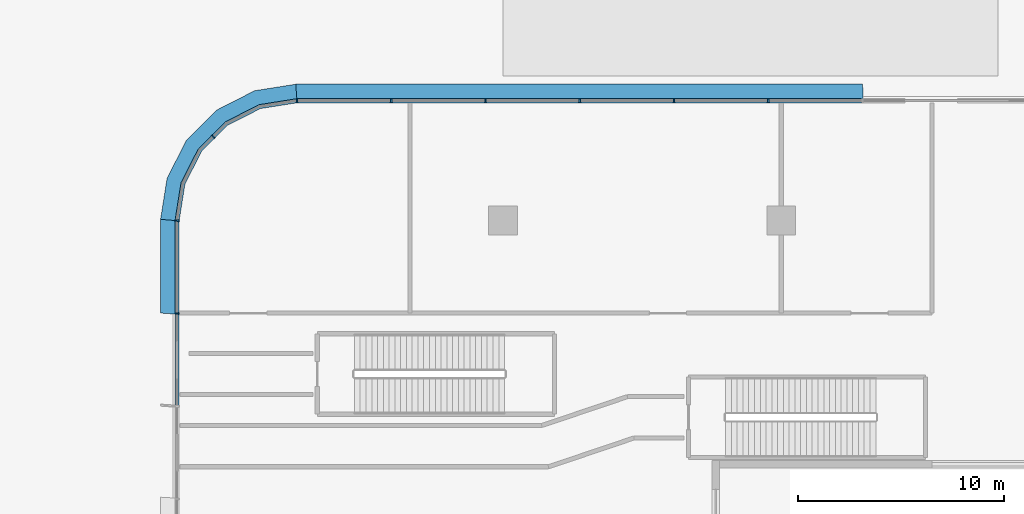
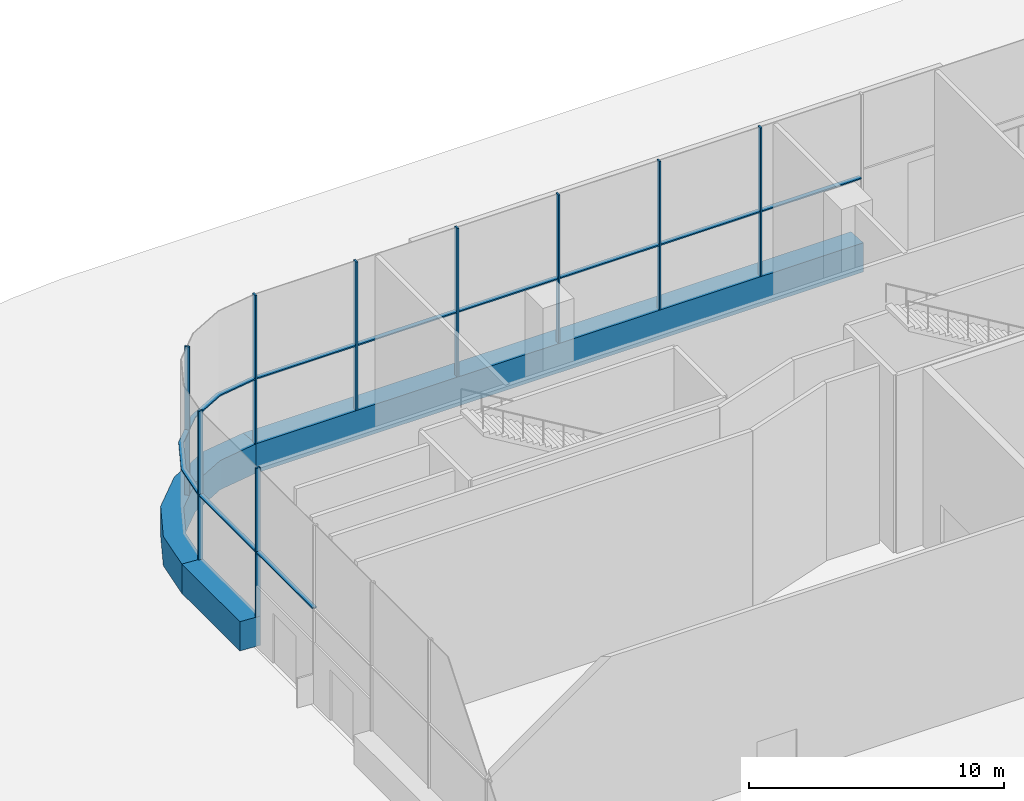
# One storey, part 8 of 54: 22 members, 3 elements without a shape of their own.
"""IFC4 building model written with IfcOpenShell, lengths in metres."""

from ifc_helpers import new_model, si_unit, direction, frame, origin, origin_2d, place, context, subcontext, project, spatial, polyline, rectangle, outline, extrude, material, layer, layer_set, material_profile, profile_set, type_object, element, aggregate, save


model = new_model("IFC4")

# Units and contexts
model_context = context("Model", 3, precision=1e-05, world=origin(), true_north=direction((0.0, 1.0)))
body_context = subcontext(model_context, "Body", "Model", "MODEL_VIEW")
ifc_project = project(units=[si_unit("LENGTHUNIT", "METRE"), si_unit("AREAUNIT", "SQUARE_METRE"), si_unit("VOLUMEUNIT", "CUBIC_METRE"), si_unit("PLANEANGLEUNIT", "RADIAN"), si_unit("MASSUNIT", "GRAM", prefix="KILO")], contexts=[model_context])

# Site, building, storey
site_placement = place(None, origin())
site = spatial("IfcSite", under=ifc_project, at=site_placement, CompositionType="ELEMENT")
building_placement = place(site_placement, origin())
building = spatial("IfcBuilding", under=site, at=building_placement, Name="Tamarind Cross Interchange Tower", CompositionType="ELEMENT")
storey_placement = place(building_placement, origin())
storey = spatial("IfcBuildingStorey", under=building, at=storey_placement, Name="L00", CompositionType="ELEMENT", Elevation=0.0)

# Curtain wall, member
ifc_material_1 = material(Name="Aluminium 6063-T6", Category="aluminium")
ifc_layer = layer(ifc_material_1, 0.199951171875)
ifc_layer_set = layer_set([ifc_layer], Name="Aluminium 6063-T6")
curtain_wall_type = type_object("IfcCurtainWallType", Name="Podium shopfront and station curtain wall", PredefinedType="NOTDEFINED", material=ifc_layer_set)
curtain_wall_1_placement = place(storey_placement, origin())
curtain_wall_1 = element("IfcCurtainWall", 1, at=curtain_wall_1_placement, inside=storey, type_object=curtain_wall_type, Name="CWS-L00-02", PredefinedType="NOTDEFINED")
ifc_material_2 = material(Name="Aluminium and insulated spandrel panel", Category="aluminium")
member_type_1 = type_object("IfcMemberType", Name="Floor-edge blade transom", PredefinedType="USERDEFINED", material=ifc_material_2)
member_1_placement = place(storey_placement, origin())
member_1 = element("IfcMember", 2, at=member_1_placement, type_object=member_type_1, Name="CWT-L00-02-7", ObjectType="TRANSOM", PredefinedType="USERDEFINED", context=body_context, shape_type="SweptSolid", body=[
    extrude(outline(polyline([(-36.51806640625, 59.699951171875), (-63.976318359375, 59.699951171875), (-64.047119140625, 60.60009765625), (-36.558349609375, 60.60009765625), (-36.51806640625, 59.699951171875)])), origin(), (0.0, 0.0, 1.0), 1.39990234375),
])

curtain_wall_2_placement = place(storey_placement, origin())
curtain_wall_2 = element("IfcCurtainWall", 3, at=curtain_wall_2_placement, inside=storey, type_object=curtain_wall_type, Name="CWS-L00-03", PredefinedType="NOTDEFINED")
member_2_placement = place(storey_placement, origin())
member_2 = element("IfcMember", 4, at=member_2_placement, type_object=member_type_1, Name="CWT-L00-03", ObjectType="TRANSOM", PredefinedType="USERDEFINED", context=body_context, shape_type="SweptSolid", body=[
    extrude(outline(polyline([(-63.976318359375, 59.699951171875), (-65.76025390625, 59.41748046875), (-67.34814453125, 58.6083984375), (-68.6083984375, 57.34814453125), (-69.41748046875, 55.76025390625), (-69.699951171875, 53.976318359375), (-70.60009765625, 54.047119140625), (-70.2841796875, 56.041748046875), (-69.345458984375, 57.8837890625), (-67.8837890625, 59.345458984375), (-66.041748046875, 60.2841796875), (-64.047119140625, 60.60009765625), (-63.976318359375, 59.699951171875)])), origin(), (0.0, 0.0, 1.0), 1.39990234375),
])

curtain_wall_3_placement = place(storey_placement, origin())
curtain_wall_3 = element("IfcCurtainWall", 5, at=curtain_wall_3_placement, inside=storey, type_object=curtain_wall_type, Name="CWS-L00-04", PredefinedType="NOTDEFINED")
member_3_placement = place(storey_placement, origin())
member_3 = element("IfcMember", 6, at=member_3_placement, type_object=member_type_1, Name="CWT-L00-04-0", ObjectType="TRANSOM", PredefinedType="USERDEFINED", context=body_context, shape_type="SweptSolid", body=[
    extrude(outline(polyline([(-69.699951171875, 53.976318359375), (-69.699951171875, 49.4384765625), (-70.60009765625, 49.503173828125), (-70.60009765625, 54.047119140625), (-69.699951171875, 53.976318359375)])), origin(), (0.0, 0.0, 1.0), 1.39990234375),
])

# Member
ifc_material_profile = material_profile(ifc_material_1, rectangle(XDim=0.080078125, YDim=0.199951171875, at=origin_2d()), Name="Mullion CW3")
ifc_profile_set = profile_set([ifc_material_profile], Name="Aluminium 6063-T6")
member_type_2 = type_object("IfcMemberType", Name="Mullion CW3", PredefinedType="MULLION", material=ifc_profile_set)
member_4_placement = place(storey_placement, frame((-41.1328125, 59.800048828125, 1.39990234375), z_axis=(0.0, 0.0, 1.0), x_axis=(-1.0, 0.0, 0.0)))
member_4 = element("IfcMember", 7, at=member_4_placement, type_object=member_type_2, Name="CWM-L00-02-23", PredefinedType="MULLION", context=body_context, shape_type="SweptSolid", body=[
    extrude(rectangle(XDim=0.080078125, YDim=0.199951171875, at=origin_2d()), origin(), (0.0, 0.0, 1.0), 7.10009765625),
])

member_5_placement = place(storey_placement, frame((-45.703125, 59.800048828125, 1.39990234375), z_axis=(0.0, 0.0, 1.0), x_axis=(-1.0, 0.0, 0.0)))
member_5 = element("IfcMember", 8, at=member_5_placement, type_object=member_type_2, Name="CWM-L00-02-24", PredefinedType="MULLION", context=body_context, shape_type="SweptSolid", body=[
    extrude(rectangle(XDim=0.080078125, YDim=0.199951171875, at=origin_2d()), origin(), (0.0, 0.0, 1.0), 7.10009765625),
])

member_6_placement = place(storey_placement, frame((-50.2734375, 59.800048828125, 1.39990234375), z_axis=(0.0, 0.0, 1.0), x_axis=(-1.0, 0.0, 0.0)))
member_6 = element("IfcMember", 9, at=member_6_placement, type_object=member_type_2, Name="CWM-L00-02-25", PredefinedType="MULLION", context=body_context, shape_type="SweptSolid", body=[
    extrude(rectangle(XDim=0.080078125, YDim=0.199951171875, at=origin_2d()), origin(), (0.0, 0.0, 1.0), 7.10009765625),
])

member_7_placement = place(storey_placement, frame((-54.84375, 59.800048828125, 1.39990234375), z_axis=(0.0, 0.0, 1.0), x_axis=(-1.0, 0.0, 0.0)))
member_7 = element("IfcMember", 10, at=member_7_placement, type_object=member_type_2, Name="CWM-L00-02-26", PredefinedType="MULLION", context=body_context, shape_type="SweptSolid", body=[
    extrude(rectangle(XDim=0.080078125, YDim=0.199951171875, at=origin_2d()), origin(), (0.0, 0.0, 1.0), 7.10009765625),
])

member_8_placement = place(storey_placement, frame((-59.4140625, 59.800048828125, 1.39990234375), z_axis=(0.0, 0.0, 1.0), x_axis=(-1.0, 0.0, 0.0)))
member_8 = element("IfcMember", 11, at=member_8_placement, type_object=member_type_2, Name="CWM-L00-02-27", PredefinedType="MULLION", context=body_context, shape_type="SweptSolid", body=[
    extrude(rectangle(XDim=0.080078125, YDim=0.199951171875, at=origin_2d()), origin(), (0.0, 0.0, 1.0), 7.10009765625),
])

member_9_placement = place(storey_placement, frame((-63.984375, 59.800048828125, 1.39990234375), z_axis=(0.0, 0.0, 1.0), x_axis=(-0.996917333733, -0.078459095728, 0.0)))
member_9 = element("IfcMember", 12, at=member_9_placement, type_object=member_type_2, Name="CWM-L00-03-00", PredefinedType="MULLION", context=body_context, shape_type="SweptSolid", body=[
    extrude(rectangle(XDim=0.080078125, YDim=0.199951171875, at=origin_2d()), origin(), (0.0, 0.0, 1.0), 7.10009765625),
])

member_10_placement = place(storey_placement, frame((-68.049072265625, 58.049072265625, 1.39990234375), z_axis=(0.0, 0.0, 1.0), x_axis=(-0.707106781187, -0.707106781187, 0.0)))
member_10 = element("IfcMember", 13, at=member_10_placement, type_object=member_type_2, Name="CWM-L00-03-01", PredefinedType="MULLION", context=body_context, shape_type="SweptSolid", body=[
    extrude(rectangle(XDim=0.080078125, YDim=0.199951171875, at=origin_2d()), origin(), (0.0, 0.0, 1.0), 7.10009765625),
])

member_11_placement = place(storey_placement, frame((-69.800048828125, 53.984375, 1.39990234375), z_axis=(0.0, 0.0, 1.0), x_axis=(-0.078459095728, -0.996917333733, 0.0)))
member_11 = element("IfcMember", 14, at=member_11_placement, type_object=member_type_2, Name="CWM-L00-04-00", PredefinedType="MULLION", context=body_context, shape_type="SweptSolid", body=[
    extrude(rectangle(XDim=0.080078125, YDim=0.199951171875, at=origin_2d()), origin(), (0.0, 0.0, 1.0), 7.10009765625),
])

member_12_placement = place(storey_placement, frame((-69.800048828125, 49.485595703125, 1.39990234375), z_axis=(0.0, 0.0, 1.0), x_axis=(0.0, -1.0, 0.0)))
member_12 = element("IfcMember", 15, at=member_12_placement, type_object=member_type_2, Name="CWM-L00-04-01", PredefinedType="MULLION", context=body_context, shape_type="SweptSolid", body=[
    extrude(rectangle(XDim=0.080078125, YDim=0.199951171875, at=origin_2d()), origin(), (0.0, 0.0, 1.0), 7.10009765625),
])

member_type_3 = type_object("IfcMemberType", Name="Podium intermediate transom", PredefinedType="USERDEFINED", material=ifc_material_1)
member_13_placement = place(storey_placement, frame((0.0, 0.0, 4.469970703125)))
member_13 = element("IfcMember", 16, at=member_13_placement, type_object=member_type_3, Name="CWT-L00-02-I0-22", ObjectType="TRANSOM", PredefinedType="USERDEFINED", context=body_context, shape_type="SweptSolid", body=[
    extrude(outline(polyline([(-36.6025390625, 59.699951171875), (-41.0927734375, 59.699951171875), (-41.0927734375, 59.89990234375), (-36.6025390625, 59.89990234375), (-36.6025390625, 59.699951171875)])), origin(), (0.0, 0.0, 1.0), 0.06005859375),
])

member_14_placement = place(storey_placement, frame((0.0, 0.0, 4.469970703125)))
member_14 = element("IfcMember", 17, at=member_14_placement, type_object=member_type_3, Name="CWT-L00-02-I0-23", ObjectType="TRANSOM", PredefinedType="USERDEFINED", context=body_context, shape_type="SweptSolid", body=[
    extrude(outline(polyline([(-41.1728515625, 59.699951171875), (-45.6630859375, 59.699951171875), (-45.6630859375, 59.89990234375), (-41.1728515625, 59.89990234375), (-41.1728515625, 59.699951171875)])), origin(), (0.0, 0.0, 1.0), 0.06005859375),
])

member_15_placement = place(storey_placement, frame((0.0, 0.0, 4.469970703125)))
member_15 = element("IfcMember", 18, at=member_15_placement, type_object=member_type_3, Name="CWT-L00-02-I0-24", ObjectType="TRANSOM", PredefinedType="USERDEFINED", context=body_context, shape_type="SweptSolid", body=[
    extrude(outline(polyline([(-45.7431640625, 59.699951171875), (-50.2333984375, 59.699951171875), (-50.2333984375, 59.89990234375), (-45.7431640625, 59.89990234375), (-45.7431640625, 59.699951171875)])), origin(), (0.0, 0.0, 1.0), 0.06005859375),
])

member_16_placement = place(storey_placement, frame((0.0, 0.0, 4.469970703125)))
member_16 = element("IfcMember", 19, at=member_16_placement, type_object=member_type_3, Name="CWT-L00-02-I0-25", ObjectType="TRANSOM", PredefinedType="USERDEFINED", context=body_context, shape_type="SweptSolid", body=[
    extrude(outline(polyline([(-50.313232421875, 59.699951171875), (-54.8037109375, 59.699951171875), (-54.8037109375, 59.89990234375), (-50.313232421875, 59.89990234375), (-50.313232421875, 59.699951171875)])), origin(), (0.0, 0.0, 1.0), 0.06005859375),
])

member_17_placement = place(storey_placement, frame((0.0, 0.0, 4.469970703125)))
member_17 = element("IfcMember", 20, at=member_17_placement, type_object=member_type_3, Name="CWT-L00-02-I0-26", ObjectType="TRANSOM", PredefinedType="USERDEFINED", context=body_context, shape_type="SweptSolid", body=[
    extrude(outline(polyline([(-54.883544921875, 59.699951171875), (-59.3740234375, 59.699951171875), (-59.3740234375, 59.89990234375), (-54.883544921875, 59.89990234375), (-54.883544921875, 59.699951171875)])), origin(), (0.0, 0.0, 1.0), 0.06005859375),
])

member_18_placement = place(storey_placement, frame((0.0, 0.0, 4.469970703125)))
member_18 = element("IfcMember", 21, at=member_18_placement, type_object=member_type_3, Name="CWT-L00-02-I0-27", ObjectType="TRANSOM", PredefinedType="USERDEFINED", context=body_context, shape_type="SweptSolid", body=[
    extrude(outline(polyline([(-59.453857421875, 59.699951171875), (-63.9443359375, 59.699951171875), (-63.9443359375, 59.89990234375), (-59.453857421875, 59.89990234375), (-59.453857421875, 59.699951171875)])), origin(), (0.0, 0.0, 1.0), 0.06005859375),
])

aggregate(curtain_wall_1, [member_4, member_5, member_6, member_7, member_8, member_13, member_14, member_15, member_16, member_17, member_18, member_1])

member_19_placement = place(storey_placement, frame((0.0, 0.0, 4.469970703125)))
member_19 = element("IfcMember", 22, at=member_19_placement, type_object=member_type_3, Name="CWT-L00-03-I0-00", ObjectType="TRANSOM", PredefinedType="USERDEFINED", context=body_context, shape_type="SweptSolid", body=[
    extrude(outline(polyline([(-64.008056640625, 59.695068359375), (-65.76025390625, 59.41748046875), (-67.34814453125, 58.6083984375), (-67.949951171875, 58.006591796875), (-68.09130859375, 58.14794921875), (-67.46728515625, 58.772216796875), (-65.82275390625, 59.610107421875), (-64.039306640625, 59.892578125), (-64.008056640625, 59.695068359375)])), origin(), (0.0, 0.0, 1.0), 0.06005859375),
])

member_20_placement = place(storey_placement, frame((0.0, 0.0, 4.469970703125)))
member_20 = element("IfcMember", 23, at=member_20_placement, type_object=member_type_3, Name="CWT-L00-03-I0-01", ObjectType="TRANSOM", PredefinedType="USERDEFINED", context=body_context, shape_type="SweptSolid", body=[
    extrude(outline(polyline([(-68.006591796875, 57.949951171875), (-68.6083984375, 57.34814453125), (-69.41748046875, 55.76025390625), (-69.695068359375, 54.008056640625), (-69.892578125, 54.039306640625), (-69.610107421875, 55.82275390625), (-68.772216796875, 57.46728515625), (-68.14794921875, 58.09130859375), (-68.006591796875, 57.949951171875)])), origin(), (0.0, 0.0, 1.0), 0.06005859375),
])

aggregate(curtain_wall_2, [member_9, member_10, member_19, member_20, member_2])

member_21_placement = place(storey_placement, frame((0.0, 0.0, 4.469970703125)))
member_21 = element("IfcMember", 24, at=member_21_placement, type_object=member_type_3, Name="CWT-L00-04-I0-00", ObjectType="TRANSOM", PredefinedType="USERDEFINED", context=body_context, shape_type="SweptSolid", body=[
    extrude(outline(polyline([(-69.699951171875, 53.9443359375), (-69.699951171875, 49.525634765625), (-69.89990234375, 49.525634765625), (-69.89990234375, 53.9443359375), (-69.699951171875, 53.9443359375)])), origin(), (0.0, 0.0, 1.0), 0.06005859375),
])

member_22_placement = place(storey_placement, frame((0.0, 0.0, 4.469970703125)))
member_22 = element("IfcMember", 25, at=member_22_placement, type_object=member_type_3, Name="CWT-L00-04-I0-01", ObjectType="TRANSOM", PredefinedType="USERDEFINED", context=body_context, shape_type="SweptSolid", body=[
    extrude(outline(polyline([(-69.699951171875, 49.445556640625), (-69.699951171875, 45.02685546875), (-69.89990234375, 45.02685546875), (-69.89990234375, 49.445556640625), (-69.699951171875, 49.445556640625)])), origin(), (0.0, 0.0, 1.0), 0.06005859375),
])

aggregate(curtain_wall_3, [member_11, member_12, member_21, member_22, member_3])

save(model, "model.ifc")
